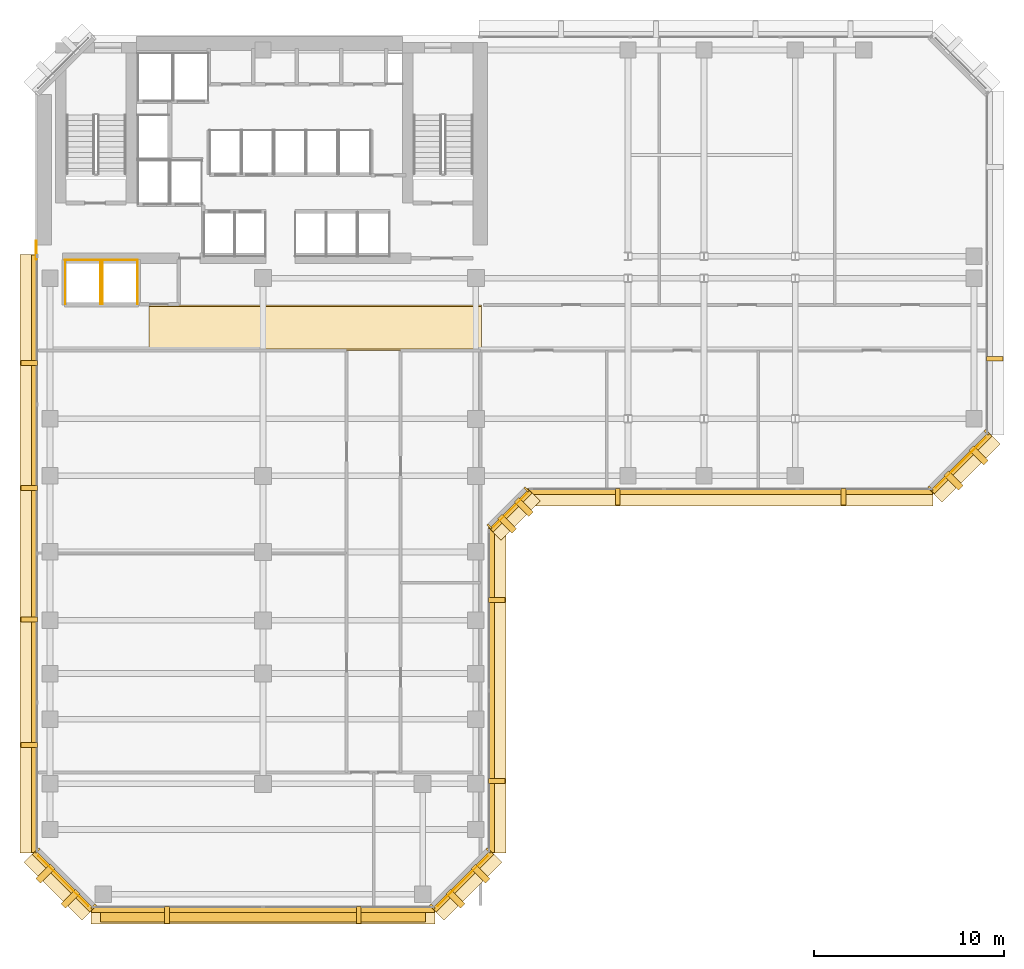
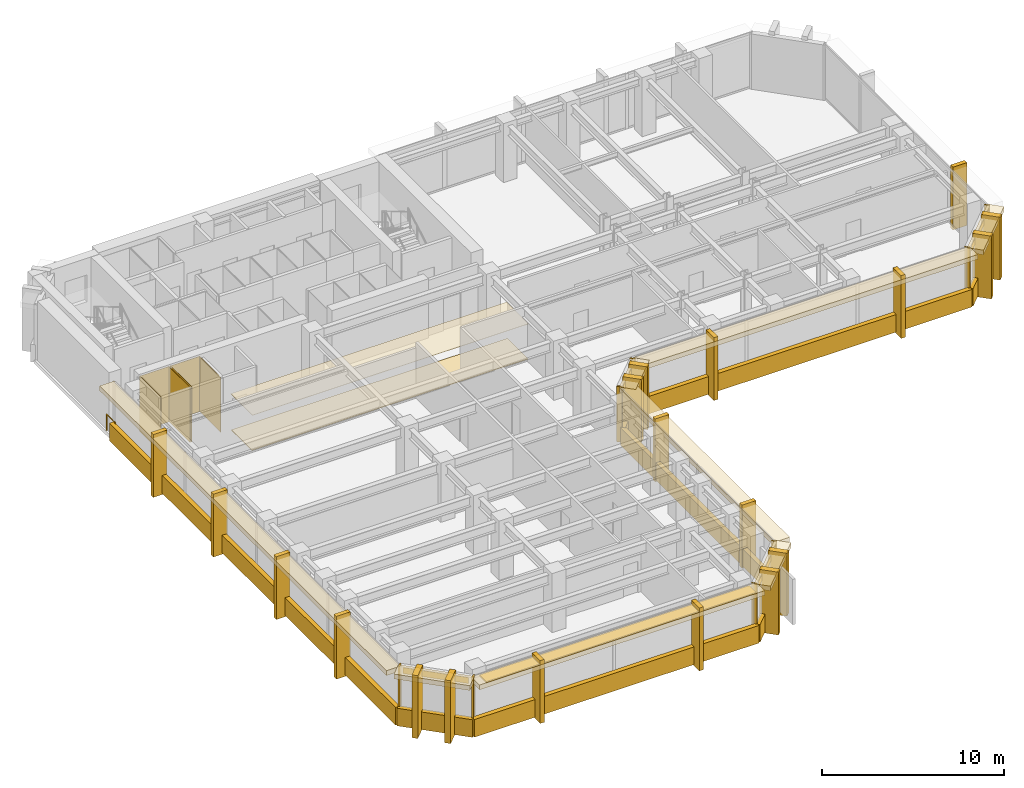
# One storey, part 9 of 12: 55 coverings, 1 railing, 1 shading device.
"""IFC4 building model written with IfcOpenShell, lengths in metres."""

from ifc_helpers import new_model, si_unit, direction, frame, origin, origin_2d, place, context, subcontext, project, spatial, polyline, rectangle, circle, outline, extrude, material, layer, layer_set, type_object, element, save


model = new_model("IFC4")

# Units and contexts
model_context = context("Model", 3, precision=1e-05, world=origin(), true_north=direction((0.0, 1.0)))
body_context = subcontext(model_context, "Body", "Model", "MODEL_VIEW")
ifc_project = project(units=[si_unit("LENGTHUNIT", "METRE"), si_unit("AREAUNIT", "SQUARE_METRE"), si_unit("VOLUMEUNIT", "CUBIC_METRE"), si_unit("PLANEANGLEUNIT", "RADIAN"), si_unit("MASSUNIT", "GRAM", prefix="KILO")], contexts=[model_context])

# Site, building, storey
site_placement = place(None, origin())
site = spatial("IfcSite", under=ifc_project, at=site_placement, CompositionType="ELEMENT")
building_placement = place(site_placement, origin())
building = spatial("IfcBuilding", under=site, at=building_placement, Name="Kefirva Bronze Tower", CompositionType="ELEMENT")
storey_placement = place(building_placement, frame((0.0, 0.0, 126.389892578125)))
storey = spatial("IfcBuildingStorey", under=building, at=storey_placement, Name="L30", CompositionType="ELEMENT", Elevation=126.389892578125)

# Coverings
ifc_material_1 = material(Name="Acoustic mineral tile")
ifc_layer_1 = layer(ifc_material_1, 0.02490234375, Name="Acoustic mineral tile")
ifc_layer_set_1 = layer_set([ifc_layer_1], Name="Acoustic mineral tile")
covering_type_1 = type_object("IfcCoveringType", Name="Acoustic Mineral Suspended Ceiling 25mm", PredefinedType="CEILING", material=ifc_layer_set_1)
covering_1_placement = place(storey_placement, frame((0.0, 0.0, 2.400146484375)))
element("IfcCovering", 1, at=covering_1_placement, inside=storey, type_object=covering_type_1, Name="L30 Corridor Acoustic Ceiling", PredefinedType="CEILING", context=body_context, shape_type="SweptSolid", body=[
    extrude(outline(polyline([(6.0, 29.39990234375), (23.5, 29.39990234375), (23.5, 31.800048828125), (6.0, 31.800048828125), (6.0, 29.39990234375)])), origin(), (0.0, 0.0, 1.0), 0.02490234375),
])
ifc_material_2 = material(Name="Bronze anodised aluminium", Category="aluminium")
ifc_layer_2 = layer(ifc_material_2, 0.02001953125, Name="Bronze anodised aluminium")
ifc_layer_set_2 = layer_set([ifc_layer_2], Name="Bronze anodised aluminium")
covering_type_2 = type_object("IfcCoveringType", Name="Anodised Bronze Spandrel Cladding 20mm", PredefinedType="CLADDING", material=ifc_layer_set_2)
covering_2_placement = place(storey_placement, frame((12.0, -0.0400390625, -0.15966796875), z_axis=(0.0, 0.0, 1.0), x_axis=(1.0, 0.0, 0.0)))
element("IfcCovering", 2, at=covering_2_placement, inside=storey, type_object=covering_type_2, Name="L30 Streamline Horizontal Spandrel Band 0", PredefinedType="CLADDING", context=body_context, shape_type="SweptSolid", body=[
    extrude(rectangle(XDim=18.0400390625, YDim=0.280029296875, at=origin_2d()), origin(), (0.0, 0.0, 1.0), 1.179931640625),
])
covering_3_placement = place(storey_placement, frame((22.507080078125, 1.492919921875, 3.2900390625), z_axis=(0.0, 0.0, 1.0), x_axis=(0.707106781187, 0.707106781187, 0.0)))
element("IfcCovering", 3, at=covering_3_placement, inside=storey, type_object=covering_type_2, Name="L30 Bronze Spandrel Cladding 1", PredefinedType="CLADDING", context=body_context, shape_type="SweptSolid", body=[
    extrude(rectangle(XDim=3.719482421875, YDim=0.02001953125, at=origin_2d()), origin(), (0.0, 0.0, 1.0), 0.39990234375),
])
for number, where, z_axis, x_axis, name in (
    (4, (20.91162109375, 0.137939453125, 0.000244140625), (0.0, 0.0, 1.0), (0.707106781187, 0.707106781187, 0.0), "L30 Facade Joint Closure Panel 1S"),
    (5, (23.862060546875, 3.08837890625, 0.000244140625), (0.0, 0.0, 1.0), (0.707106781187, 0.707106781187, 0.0), "L30 Facade Joint Closure Panel 1E"),
):
    element("IfcCovering", number, at=place(storey_placement, frame(where, z_axis=z_axis, x_axis=x_axis)), inside=storey, type_object=covering_type_2, Name=name, PredefinedType="CLADDING", context=body_context, shape_type="SweptSolid", body=[
        extrude(rectangle(XDim=0.10009765625, YDim=0.320068359375, at=origin_2d()), origin(), (0.0, 0.0, 1.0), 3.7099609375),
    ])
covering_4_placement = place(storey_placement, frame((22.5283203125, 1.4716796875, -0.15966796875), z_axis=(0.0, 0.0, 1.0), x_axis=(0.707106781187, 0.707106781187, 0.0)))
element("IfcCovering", 6, at=covering_4_placement, inside=storey, type_object=covering_type_2, Name="L30 Streamline Horizontal Spandrel Band 1", PredefinedType="CLADDING", context=body_context, shape_type="SweptSolid", body=[
    extrude(rectangle(XDim=4.28271484375, YDim=0.280029296875, at=origin_2d()), origin(), (0.0, 0.0, 1.0), 1.179931640625),
])
covering_5_placement = place(storey_placement, frame((24.0400390625, 11.5, -0.15966796875), z_axis=(0.0, 0.0, 1.0), x_axis=(0.0, 1.0, 0.0)))
element("IfcCovering", 7, at=covering_5_placement, inside=storey, type_object=covering_type_2, Name="L30 Streamline Horizontal Spandrel Band 2", PredefinedType="CLADDING", context=body_context, shape_type="SweptSolid", body=[
    extrude(rectangle(XDim=17.0400390625, YDim=0.280029296875, at=origin_2d()), origin(), (0.0, 0.0, 1.0), 1.179931640625),
])
covering_6_placement = place(storey_placement, frame((25.007080078125, 20.992919921875, 3.2900390625), z_axis=(0.0, 0.0, 1.0), x_axis=(0.707106781187, 0.707106781187, 0.0)))
element("IfcCovering", 8, at=covering_6_placement, inside=storey, type_object=covering_type_2, Name="L30 Bronze Spandrel Cladding 2", PredefinedType="CLADDING", context=body_context, shape_type="SweptSolid", body=[
    extrude(rectangle(XDim=2.446533203125, YDim=0.02001953125, at=origin_2d()), origin(), (0.0, 0.0, 1.0), 0.39990234375),
])
for number, where, z_axis, x_axis, name in (
    (9, (23.91162109375, 20.137939453125, 0.000244140625), (0.0, 0.0, 1.0), (0.707106781187, 0.707106781187, 0.0), "L30 Facade Joint Closure Panel 2S"),
    (10, (25.862060546875, 22.08837890625, 0.000244140625), (0.0, 0.0, 1.0), (0.707106781187, 0.707106781187, 0.0), "L30 Facade Joint Closure Panel 2E"),
):
    element("IfcCovering", number, at=place(storey_placement, frame(where, z_axis=z_axis, x_axis=x_axis)), inside=storey, type_object=covering_type_2, Name=name, PredefinedType="CLADDING", context=body_context, shape_type="SweptSolid", body=[
        extrude(rectangle(XDim=0.10009765625, YDim=0.320068359375, at=origin_2d()), origin(), (0.0, 0.0, 1.0), 3.7099609375),
    ])
covering_7_placement = place(storey_placement, frame((25.0283203125, 20.9716796875, -0.15966796875), z_axis=(0.0, 0.0, 1.0), x_axis=(0.707106781187, 0.707106781187, 0.0)))
element("IfcCovering", 11, at=covering_7_placement, inside=storey, type_object=covering_type_2, Name="L30 Streamline Horizontal Spandrel Band 3", PredefinedType="CLADDING", context=body_context, shape_type="SweptSolid", body=[
    extrude(rectangle(XDim=2.868408203125, YDim=0.280029296875, at=origin_2d()), origin(), (0.0, 0.0, 1.0), 1.179931640625),
])
covering_8_placement = place(storey_placement, frame((36.60009765625, 21.9599609375, -0.15966796875), z_axis=(0.0, 0.0, 1.0), x_axis=(1.0, 0.0, 0.0)))
element("IfcCovering", 12, at=covering_8_placement, inside=storey, type_object=covering_type_2, Name="L30 Streamline Horizontal Spandrel Band 4", PredefinedType="CLADDING", context=body_context, shape_type="SweptSolid", body=[
    extrude(rectangle(XDim=21.239990234375, YDim=0.280029296875, at=origin_2d()), origin(), (0.0, 0.0, 1.0), 1.179931640625),
])
covering_9_placement = place(storey_placement, frame((48.70703125, 23.492919921875, 3.2900390625), z_axis=(0.0, 0.0, 1.0), x_axis=(0.707106781187, 0.707106781187, 0.0)))
element("IfcCovering", 13, at=covering_9_placement, inside=storey, type_object=covering_type_2, Name="L30 Bronze Spandrel Cladding 3", PredefinedType="CLADDING", context=body_context, shape_type="SweptSolid", body=[
    extrude(rectangle(XDim=3.719482421875, YDim=0.02001953125, at=origin_2d()), origin(), (0.0, 0.0, 1.0), 0.39990234375),
])
for number, where, z_axis, x_axis, name in (
    (14, (47.11181640625, 22.137939453125, 0.000244140625), (0.0, 0.0, 1.0), (0.707106781187, 0.707106781187, 0.0), "L30 Facade Joint Closure Panel 3S"),
    (15, (50.06201171875, 25.08837890625, 0.000244140625), (0.0, 0.0, 1.0), (0.707106781187, 0.707106781187, 0.0), "L30 Facade Joint Closure Panel 3E"),
):
    element("IfcCovering", number, at=place(storey_placement, frame(where, z_axis=z_axis, x_axis=x_axis)), inside=storey, type_object=covering_type_2, Name=name, PredefinedType="CLADDING", context=body_context, shape_type="SweptSolid", body=[
        extrude(rectangle(XDim=0.10009765625, YDim=0.320068359375, at=origin_2d()), origin(), (0.0, 0.0, 1.0), 3.7099609375),
    ])
covering_10_placement = place(storey_placement, frame((48.728271484375, 23.4716796875, -0.15966796875), z_axis=(0.0, 0.0, 1.0), x_axis=(0.707106781187, 0.707106781187, 0.0)))
element("IfcCovering", 16, at=covering_10_placement, inside=storey, type_object=covering_type_2, Name="L30 Streamline Horizontal Spandrel Band 5", PredefinedType="CLADDING", context=body_context, shape_type="SweptSolid", body=[
    extrude(rectangle(XDim=4.28271484375, YDim=0.280029296875, at=origin_2d()), origin(), (0.0, 0.0, 1.0), 1.179931640625),
])
covering_11_placement = place(storey_placement, frame((-0.0400390625, 18.697509765625, -0.15966796875), z_axis=(0.0, 0.0, 1.0), x_axis=(0.0, -1.0, 0.0)))
element("IfcCovering", 17, at=covering_11_placement, inside=storey, type_object=covering_type_2, Name="L30 Streamline Horizontal Spandrel Band 10", PredefinedType="CLADDING", context=body_context, shape_type="SweptSolid", body=[
    extrude(rectangle(XDim=31.43505859375, YDim=0.280029296875, at=origin_2d()), origin(), (0.0, 0.0, 1.0), 1.179931640625),
])
covering_12_placement = place(storey_placement, frame((1.492919921875, 1.492919921875, 3.2900390625), z_axis=(0.0, 0.0, 1.0), x_axis=(0.707106781187, -0.707106781187, 0.0)))
element("IfcCovering", 18, at=covering_12_placement, inside=storey, type_object=covering_type_2, Name="L30 Bronze Spandrel Cladding 6", PredefinedType="CLADDING", context=body_context, shape_type="SweptSolid", body=[
    extrude(rectangle(XDim=3.719482421875, YDim=0.02001953125, at=origin_2d()), origin(), (0.0, 0.0, 1.0), 0.39990234375),
])
for number, where, z_axis, x_axis, name in (
    (19, (0.137939453125, 3.08837890625, 0.000244140625), (0.0, 0.0, 1.0), (0.707106781187, -0.707106781187, 0.0), "L30 Facade Joint Closure Panel 6S"),
    (20, (3.08837890625, 0.137939453125, 0.000244140625), (0.0, 0.0, 1.0), (0.707106781187, -0.707106781187, 0.0), "L30 Facade Joint Closure Panel 6E"),
):
    element("IfcCovering", number, at=place(storey_placement, frame(where, z_axis=z_axis, x_axis=x_axis)), inside=storey, type_object=covering_type_2, Name=name, PredefinedType="CLADDING", context=body_context, shape_type="SweptSolid", body=[
        extrude(rectangle(XDim=0.10009765625, YDim=0.320068359375, at=origin_2d()), origin(), (0.0, 0.0, 1.0), 3.7099609375),
    ])
covering_13_placement = place(storey_placement, frame((1.4716796875, 1.4716796875, -0.15966796875), z_axis=(0.0, 0.0, 1.0), x_axis=(0.707106781187, -0.707106781187, 0.0)))
element("IfcCovering", 21, at=covering_13_placement, inside=storey, type_object=covering_type_2, Name="L30 Streamline Horizontal Spandrel Band 11", PredefinedType="CLADDING", context=body_context, shape_type="SweptSolid", body=[
    extrude(rectangle(XDim=4.28271484375, YDim=0.280029296875, at=origin_2d()), origin(), (0.0, 0.0, 1.0), 1.179931640625),
])
covering_14_placement = place(storey_placement, origin())
element("IfcCovering", 22, at=covering_14_placement, inside=storey, type_object=covering_type_2, Name="L30 Lift OB1 Hoistway Liner N", PredefinedType="CLADDING", context=body_context, shape_type="SweptSolid", body=[
    extrude(outline(polyline([(1.580078125, 34.139892578125), (3.469970703125, 34.139892578125), (3.469970703125, 34.159912109375), (1.580078125, 34.159912109375), (1.580078125, 34.139892578125)])), origin(), (0.0, 0.0, 1.0), 3.710205078125),
])
covering_15_placement = place(storey_placement, origin())
element("IfcCovering", 23, at=covering_15_placement, inside=storey, type_object=covering_type_2, Name="L30 Lift OB1 Hoistway Liner W", PredefinedType="CLADDING", context=body_context, shape_type="SweptSolid", body=[
    extrude(outline(polyline([(1.590087890625, 31.830078125), (1.610107421875, 31.830078125), (1.610107421875, 34.169921875), (1.590087890625, 34.169921875), (1.590087890625, 31.830078125)])), origin(), (0.0, 0.0, 1.0), 3.710205078125),
])
covering_16_placement = place(storey_placement, origin())
element("IfcCovering", 24, at=covering_16_placement, inside=storey, type_object=covering_type_2, Name="L30 Lift OB1 Hoistway Liner E", PredefinedType="CLADDING", context=body_context, shape_type="SweptSolid", body=[
    extrude(outline(polyline([(3.43994140625, 31.830078125), (3.4599609375, 31.830078125), (3.4599609375, 34.169921875), (3.43994140625, 34.169921875), (3.43994140625, 31.830078125)])), origin(), (0.0, 0.0, 1.0), 3.710205078125),
])
covering_17_placement = place(storey_placement, origin())
element("IfcCovering", 25, at=covering_17_placement, inside=storey, type_object=covering_type_2, Name="L30 Lift OB2 Hoistway Liner N", PredefinedType="CLADDING", context=body_context, shape_type="SweptSolid", body=[
    extrude(outline(polyline([(3.530029296875, 34.139892578125), (5.419921875, 34.139892578125), (5.419921875, 34.159912109375), (3.530029296875, 34.159912109375), (3.530029296875, 34.139892578125)])), origin(), (0.0, 0.0, 1.0), 3.710205078125),
])
covering_18_placement = place(storey_placement, origin())
element("IfcCovering", 26, at=covering_18_placement, inside=storey, type_object=covering_type_2, Name="L30 Lift OB2 Hoistway Liner W", PredefinedType="CLADDING", context=body_context, shape_type="SweptSolid", body=[
    extrude(outline(polyline([(3.5400390625, 31.830078125), (3.56005859375, 31.830078125), (3.56005859375, 34.169921875), (3.5400390625, 34.169921875), (3.5400390625, 31.830078125)])), origin(), (0.0, 0.0, 1.0), 3.710205078125),
])
covering_19_placement = place(storey_placement, origin())
element("IfcCovering", 27, at=covering_19_placement, inside=storey, type_object=covering_type_2, Name="L30 Lift OB2 Hoistway Liner E", PredefinedType="CLADDING", context=body_context, shape_type="SweptSolid", body=[
    extrude(outline(polyline([(5.389892578125, 31.830078125), (5.409912109375, 31.830078125), (5.409912109375, 34.169921875), (5.389892578125, 34.169921875), (5.389892578125, 31.830078125)])), origin(), (0.0, 0.0, 1.0), 3.710205078125),
])

# Shading device
ifc_layer_3 = layer(ifc_material_2, 0.090087890625, Name="Bronze anodised aluminium")
ifc_layer_set_3 = layer_set([ifc_layer_3], Name="Bronze anodised aluminium")
shading_device_type = type_object("IfcShadingDeviceType", Name="Horizontal Bronze Sunshade Band 750mm", PredefinedType="JALOUSIE", material=ifc_layer_set_3)
shading_device_placement = place(storey_placement, frame((12.0, -0.294921875, 3.60498046875), z_axis=(0.0, 0.0, 1.0), x_axis=(1.0, 0.0, 0.0)))
element("IfcShadingDevice", 28, at=shading_device_placement, inside=storey, type_object=shading_device_type, Name="L30 Horizontal Bronze Sunshade Band 0", PredefinedType="JALOUSIE", context=body_context, shape_type="SweptSolid", body=[
    extrude(rectangle(XDim=17.090087890625, YDim=0.75, at=origin_2d()), origin(), (0.0, 0.0, 1.0), 0.090087890625),
])

# Railing
ifc_material_3 = material(Name="Stainless steel 316", Category="steel")
railing_type = type_object("IfcRailingType", Name="Interior Stair Guardrail 1100mm", PredefinedType="GUARDRAIL", material=ifc_material_3)
railing_placement = place(storey_placement, frame((0.080078125, 34.199951171875, 0.0)))
element("IfcRailing", 29, at=railing_placement, inside=storey, type_object=railing_type, Name="L30 West Core Junction Guardrail", PredefinedType="GUARDRAIL", context=body_context, shape_type="SweptSolid", body=[
    extrude(circle(Radius=0.02392578125, at=origin_2d()), frame((0.0, 0.0, 1.076171875), z_axis=(0.0, 1.0, 0.0), x_axis=(-1.0, 0.0, 0.0)), (0.0, 0.0, 1.0), 0.949951171875),
    extrude(circle(Radius=0.02099609375, at=origin_2d()), origin(), (0.0, 0.0, 1.0), 1.052001953125),
    extrude(circle(Radius=0.02099609375, at=origin_2d()), frame((0.0, 0.949951171875, 0.0)), (0.0, 0.0, 1.0), 1.052001953125),
])

# Coverings
ifc_material_4 = material(Name="Calcium sulphate access tile")
ifc_layer_4 = layer(ifc_material_4, 0.044921875, Name="Calcium sulphate access tile")
ifc_layer_set_4 = layer_set([ifc_layer_4], Name="Calcium sulphate access tile")
covering_type_3 = type_object("IfcCoveringType", Name="Raised Access Office Flooring 45mm", PredefinedType="FLOORING", material=ifc_layer_set_4)
covering_20_placement = place(storey_placement, origin())
element("IfcCovering", 30, at=covering_20_placement, inside=storey, type_object=covering_type_3, Name="L30 Architectural Finish Flooring", PredefinedType="FLOORING", context=body_context, shape_type="SweptSolid", body=[
    extrude(outline(polyline([(6.0, 29.47998046875), (23.5, 29.47998046875), (23.5, 31.719970703125), (6.0, 31.719970703125), (6.0, 29.47998046875)])), origin(), (0.0, 0.0, 1.0), 0.045166015625),
])
ifc_layer_5 = layer(ifc_material_2, 0.179931640625, Name="Bronze anodised aluminium")
ifc_layer_set_5 = layer_set([ifc_layer_5], Name="Bronze anodised aluminium")
covering_type_4 = type_object("IfcCoveringType", Name="Streamline Bronze Sunshade Eyebrow Cladding 180mm", PredefinedType="CLADDING", material=ifc_layer_set_5)
covering_21_placement = place(storey_placement, frame((12.0, -0.31005859375, 3.39013671875), z_axis=(0.0, 0.0, 1.0), x_axis=(1.0, 0.0, 0.0)))
element("IfcCovering", 31, at=covering_21_placement, inside=storey, type_object=covering_type_4, Name="L30 Streamline Bronze Sunshade Eyebrow 0", PredefinedType="CLADDING", context=body_context, shape_type="SweptSolid", body=[
    extrude(rectangle(XDim=18.080078125, YDim=0.93994140625, at=origin_2d()), origin(), (0.0, 0.0, 1.0), 0.320068359375),
])
covering_22_placement = place(storey_placement, frame((22.71923828125, 1.28076171875, 3.39013671875), z_axis=(0.0, 0.0, 1.0), x_axis=(0.707106781187, 0.707106781187, 0.0)))
element("IfcCovering", 32, at=covering_22_placement, inside=storey, type_object=covering_type_4, Name="L30 Streamline Bronze Sunshade Eyebrow 1", PredefinedType="CLADDING", context=body_context, shape_type="SweptSolid", body=[
    extrude(rectangle(XDim=4.322509765625, YDim=0.93994140625, at=origin_2d()), origin(), (0.0, 0.0, 1.0), 0.320068359375),
])
covering_23_placement = place(storey_placement, frame((24.31005859375, 11.5, 3.39013671875), z_axis=(0.0, 0.0, 1.0), x_axis=(0.0, 1.0, 0.0)))
element("IfcCovering", 33, at=covering_23_placement, inside=storey, type_object=covering_type_4, Name="L30 Streamline Bronze Sunshade Eyebrow 2", PredefinedType="CLADDING", context=body_context, shape_type="SweptSolid", body=[
    extrude(rectangle(XDim=17.080078125, YDim=0.93994140625, at=origin_2d()), origin(), (0.0, 0.0, 1.0), 0.320068359375),
])
covering_24_placement = place(storey_placement, frame((25.21923828125, 20.78076171875, 3.39013671875), z_axis=(0.0, 0.0, 1.0), x_axis=(0.707106781187, 0.707106781187, 0.0)))
element("IfcCovering", 34, at=covering_24_placement, inside=storey, type_object=covering_type_4, Name="L30 Streamline Bronze Sunshade Eyebrow 3", PredefinedType="CLADDING", context=body_context, shape_type="SweptSolid", body=[
    extrude(rectangle(XDim=2.908447265625, YDim=0.93994140625, at=origin_2d()), origin(), (0.0, 0.0, 1.0), 0.320068359375),
])
covering_25_placement = place(storey_placement, frame((36.60009765625, 21.68994140625, 3.39013671875), z_axis=(0.0, 0.0, 1.0), x_axis=(1.0, 0.0, 0.0)))
element("IfcCovering", 35, at=covering_25_placement, inside=storey, type_object=covering_type_4, Name="L30 Streamline Bronze Sunshade Eyebrow 4", PredefinedType="CLADDING", context=body_context, shape_type="SweptSolid", body=[
    extrude(rectangle(XDim=21.280029296875, YDim=0.93994140625, at=origin_2d()), origin(), (0.0, 0.0, 1.0), 0.320068359375),
])
covering_26_placement = place(storey_placement, frame((48.919189453125, 23.28076171875, 3.39013671875), z_axis=(0.0, 0.0, 1.0), x_axis=(0.707106781187, 0.707106781187, 0.0)))
element("IfcCovering", 36, at=covering_26_placement, inside=storey, type_object=covering_type_4, Name="L30 Streamline Bronze Sunshade Eyebrow 5", PredefinedType="CLADDING", context=body_context, shape_type="SweptSolid", body=[
    extrude(rectangle(XDim=4.322509765625, YDim=0.93994140625, at=origin_2d()), origin(), (0.0, 0.0, 1.0), 0.320068359375),
])
covering_27_placement = place(storey_placement, frame((-0.31005859375, 18.697509765625, 3.39013671875), z_axis=(0.0, 0.0, 1.0), x_axis=(0.0, -1.0, 0.0)))
element("IfcCovering", 37, at=covering_27_placement, inside=storey, type_object=covering_type_4, Name="L30 Streamline Bronze Sunshade Eyebrow 10", PredefinedType="CLADDING", context=body_context, shape_type="SweptSolid", body=[
    extrude(rectangle(XDim=31.47509765625, YDim=0.93994140625, at=origin_2d()), origin(), (0.0, 0.0, 1.0), 0.320068359375),
])
covering_28_placement = place(storey_placement, frame((1.28076171875, 1.28076171875, 3.39013671875), z_axis=(0.0, 0.0, 1.0), x_axis=(0.707106781187, -0.707106781187, 0.0)))
element("IfcCovering", 38, at=covering_28_placement, inside=storey, type_object=covering_type_4, Name="L30 Streamline Bronze Sunshade Eyebrow 11", PredefinedType="CLADDING", context=body_context, shape_type="SweptSolid", body=[
    extrude(rectangle(XDim=4.322509765625, YDim=0.93994140625, at=origin_2d()), origin(), (0.0, 0.0, 1.0), 0.320068359375),
])
ifc_layer_6 = layer(ifc_material_2, 0.260009765625, Name="Bronze anodised aluminium")
ifc_layer_set_6 = layer_set([ifc_layer_6], Name="Bronze anodised aluminium")
covering_type_5 = type_object("IfcCoveringType", Name="Unbroken Bronze Buttress Fin Cladding 260mm", PredefinedType="CLADDING", material=ifc_layer_set_6)
for number, where, z_axis, x_axis, name in (
    (39, (6.9599609375, -0.300048828125, -0.249755859375), (0.0, 0.0, 1.0), (1.0, 0.0, 0.0), "L30 Unbroken Vertical Bronze Rib Fin 1"),
    (40, (17.0400390625, -0.300048828125, -0.249755859375), (0.0, 0.0, 1.0), (1.0, 0.0, 0.0), "L30 Unbroken Vertical Bronze Rib Fin 2"),
):
    element("IfcCovering", number, at=place(storey_placement, frame(where, z_axis=z_axis, x_axis=x_axis)), inside=storey, type_object=covering_type_5, Name=name, PredefinedType="CLADDING", context=body_context, shape_type="SweptSolid", body=[
        extrude(rectangle(XDim=0.260009765625, YDim=0.8798828125, at=origin_2d()), origin(), (0.0, 0.0, 1.0), 4.2099609375),
    ])
for number, where, z_axis, x_axis, name in (
    (41, (22.122802734375, 0.55712890625, -0.249755859375), (0.0, 0.0, 1.0), (0.707106781187, 0.707106781187, 0.0), "L30 Chamfered Corner Buttress Fin Cladding 3"),
    (42, (23.44287109375, 1.877197265625, -0.249755859375), (0.0, 0.0, 1.0), (0.707106781187, 0.707106781187, 0.0), "L30 Chamfered Corner Buttress Fin Cladding 4"),
):
    element("IfcCovering", number, at=place(storey_placement, frame(where, z_axis=z_axis, x_axis=x_axis)), inside=storey, type_object=covering_type_5, Name=name, PredefinedType="CLADDING", context=body_context, shape_type="SweptSolid", body=[
        extrude(rectangle(XDim=0.340087890625, YDim=1.080078125, at=origin_2d()), origin(), (0.0, 0.0, 1.0), 4.2099609375),
    ])
for number, where, z_axis, x_axis, name in (
    (43, (24.300048828125, 6.739990234375, -0.249755859375), (0.0, 0.0, 1.0), (0.0, 1.0, 0.0), "L30 Unbroken Vertical Bronze Rib Fin 5"),
    (44, (24.300048828125, 16.260009765625, -0.249755859375), (0.0, 0.0, 1.0), (0.0, 1.0, 0.0), "L30 Unbroken Vertical Bronze Rib Fin 6"),
):
    element("IfcCovering", number, at=place(storey_placement, frame(where, z_axis=z_axis, x_axis=x_axis)), inside=storey, type_object=covering_type_5, Name=name, PredefinedType="CLADDING", context=body_context, shape_type="SweptSolid", body=[
        extrude(rectangle(XDim=0.260009765625, YDim=0.8798828125, at=origin_2d()), origin(), (0.0, 0.0, 1.0), 4.2099609375),
    ])
for number, where, z_axis, x_axis, name in (
    (45, (24.8427734375, 20.277099609375, -0.249755859375), (0.0, 0.0, 1.0), (0.707106781187, 0.707106781187, 0.0), "L30 Chamfered Corner Buttress Fin Cladding 7"),
    (46, (25.722900390625, 21.1572265625, -0.249755859375), (0.0, 0.0, 1.0), (0.707106781187, 0.707106781187, 0.0), "L30 Chamfered Corner Buttress Fin Cladding 8"),
):
    element("IfcCovering", number, at=place(storey_placement, frame(where, z_axis=z_axis, x_axis=x_axis)), inside=storey, type_object=covering_type_5, Name=name, PredefinedType="CLADDING", context=body_context, shape_type="SweptSolid", body=[
        extrude(rectangle(XDim=0.340087890625, YDim=1.080078125, at=origin_2d()), origin(), (0.0, 0.0, 1.0), 4.2099609375),
    ])
for number, where, z_axis, x_axis, name in (
    (47, (30.6640625, 21.699951171875, -0.249755859375), (0.0, 0.0, 1.0), (1.0, 0.0, 0.0), "L30 Unbroken Vertical Bronze Rib Fin 9"),
    (48, (42.535888671875, 21.699951171875, -0.249755859375), (0.0, 0.0, 1.0), (1.0, 0.0, 0.0), "L30 Unbroken Vertical Bronze Rib Fin 10"),
):
    element("IfcCovering", number, at=place(storey_placement, frame(where, z_axis=z_axis, x_axis=x_axis)), inside=storey, type_object=covering_type_5, Name=name, PredefinedType="CLADDING", context=body_context, shape_type="SweptSolid", body=[
        extrude(rectangle(XDim=0.260009765625, YDim=0.8798828125, at=origin_2d()), origin(), (0.0, 0.0, 1.0), 4.2099609375),
    ])
for number, where, z_axis, x_axis, name in (
    (49, (48.32275390625, 22.55712890625, -0.249755859375), (0.0, 0.0, 1.0), (0.707106781187, 0.707106781187, 0.0), "L30 Chamfered Corner Buttress Fin Cladding 11"),
    (50, (49.642822265625, 23.877197265625, -0.249755859375), (0.0, 0.0, 1.0), (0.707106781187, 0.707106781187, 0.0), "L30 Chamfered Corner Buttress Fin Cladding 12"),
):
    element("IfcCovering", number, at=place(storey_placement, frame(where, z_axis=z_axis, x_axis=x_axis)), inside=storey, type_object=covering_type_5, Name=name, PredefinedType="CLADDING", context=body_context, shape_type="SweptSolid", body=[
        extrude(rectangle(XDim=0.340087890625, YDim=1.080078125, at=origin_2d()), origin(), (0.0, 0.0, 1.0), 4.2099609375),
    ])
for number, where, z_axis, x_axis, name in (
    (51, (50.5, 28.9599609375, -0.249755859375), (0.0, 0.0, 1.0), (0.0, 1.0, 0.0), "L30 Unbroken Vertical Bronze Rib Fin 13"),
    (52, (-0.300048828125, 28.743896484375, -0.249755859375), (0.0, 0.0, 1.0), (0.0, -1.0, 0.0), "L30 Unbroken Vertical Bronze Rib Fin 23"),
    (53, (-0.300048828125, 22.15087890625, -0.249755859375), (0.0, 0.0, 1.0), (0.0, -1.0, 0.0), "L30 Unbroken Vertical Bronze Rib Fin 24"),
    (54, (-0.300048828125, 15.244140625, -0.249755859375), (0.0, 0.0, 1.0), (0.0, -1.0, 0.0), "L30 Unbroken Vertical Bronze Rib Fin 25"),
    (55, (-0.300048828125, 8.651123046875, -0.249755859375), (0.0, 0.0, 1.0), (0.0, -1.0, 0.0), "L30 Unbroken Vertical Bronze Rib Fin 26"),
):
    element("IfcCovering", number, at=place(storey_placement, frame(where, z_axis=z_axis, x_axis=x_axis)), inside=storey, type_object=covering_type_5, Name=name, PredefinedType="CLADDING", context=body_context, shape_type="SweptSolid", body=[
        extrude(rectangle(XDim=0.260009765625, YDim=0.8798828125, at=origin_2d()), origin(), (0.0, 0.0, 1.0), 4.2099609375),
    ])
for number, where, z_axis, x_axis, name in (
    (56, (0.55712890625, 1.877197265625, -0.249755859375), (0.0, 0.0, 1.0), (0.707106781187, -0.707106781187, 0.0), "L30 Chamfered Corner Buttress Fin Cladding 27"),
    (57, (1.877197265625, 0.55712890625, -0.249755859375), (0.0, 0.0, 1.0), (0.707106781187, -0.707106781187, 0.0), "L30 Chamfered Corner Buttress Fin Cladding 28"),
):
    element("IfcCovering", number, at=place(storey_placement, frame(where, z_axis=z_axis, x_axis=x_axis)), inside=storey, type_object=covering_type_5, Name=name, PredefinedType="CLADDING", context=body_context, shape_type="SweptSolid", body=[
        extrude(rectangle(XDim=0.340087890625, YDim=1.080078125, at=origin_2d()), origin(), (0.0, 0.0, 1.0), 4.2099609375),
    ])

save(model, "model.ifc")
